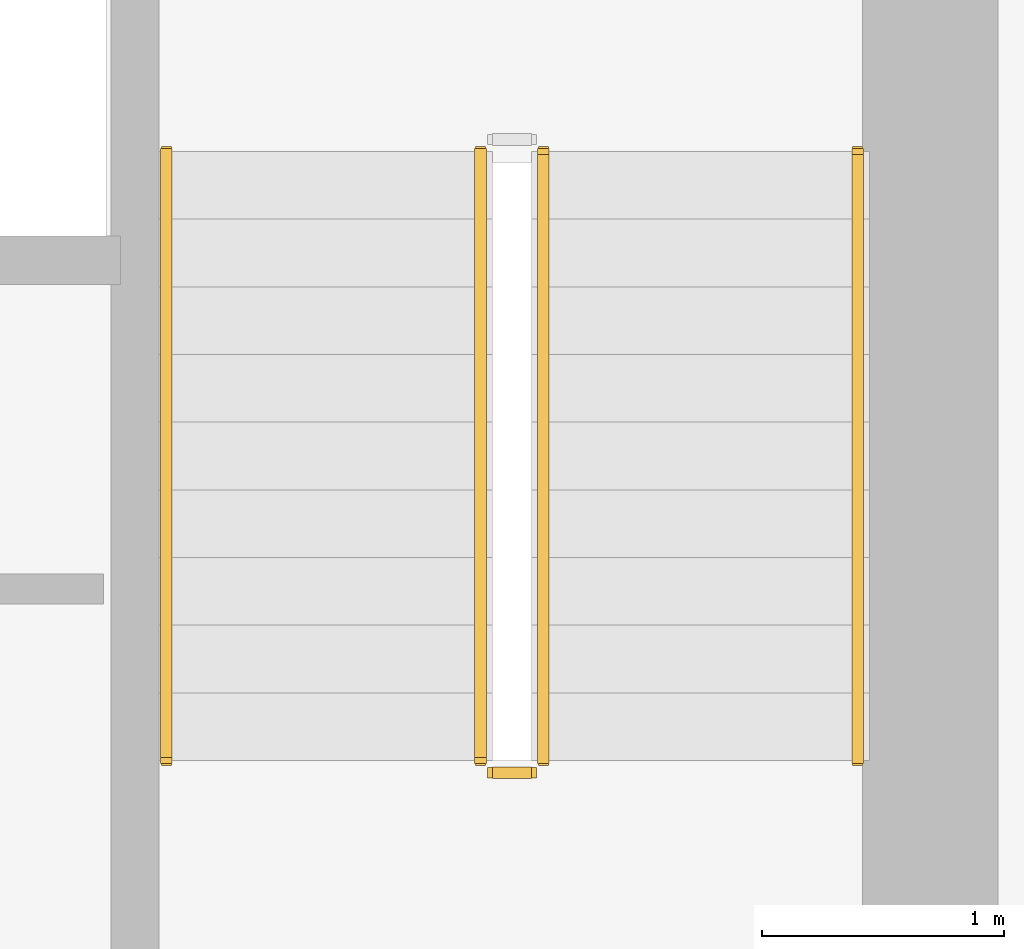
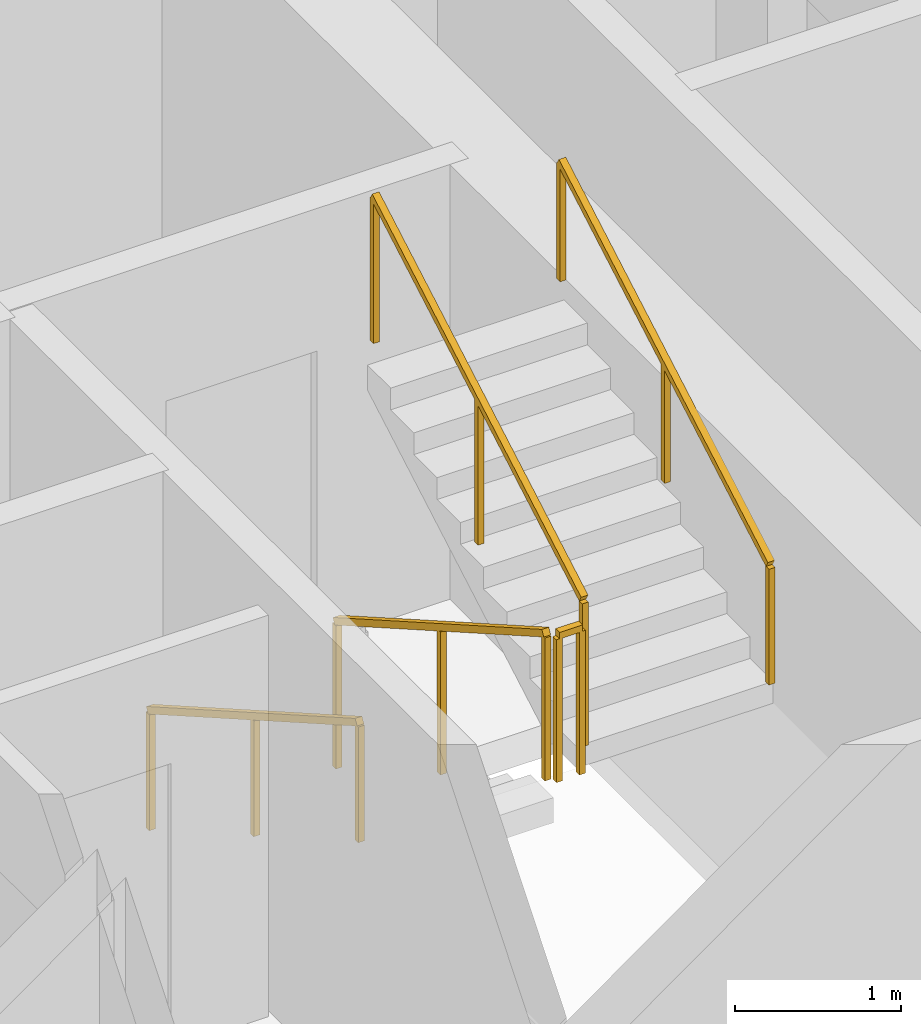
# One storey, part 9 of 11: 5 railings.
"""IFC4 building model written with IfcOpenShell, lengths in metres."""

from ifc_helpers import new_model, si_unit, direction, frame, origin, origin_2d, place, context, subcontext, project, spatial, rectangle, extrude, material, type_object, element, save


model = new_model("IFC4")

# Units and contexts
model_context = context("Model", 3, precision=1e-05, world=origin(), true_north=direction((0.0, 1.0)))
body_context = subcontext(model_context, "Body", "Model", "MODEL_VIEW")
ifc_project = project(units=[si_unit("LENGTHUNIT", "METRE"), si_unit("AREAUNIT", "SQUARE_METRE"), si_unit("VOLUMEUNIT", "CUBIC_METRE"), si_unit("PLANEANGLEUNIT", "RADIAN"), si_unit("MASSUNIT", "GRAM", prefix="KILO")], contexts=[model_context])

# Site, building, storey
site_placement = place(None, origin())
site = spatial("IfcSite", under=ifc_project, at=site_placement, CompositionType="ELEMENT")
building_placement = place(site_placement, origin())
building = spatial("IfcBuilding", under=site, at=building_placement, Name="Veldorim Arch Residences", CompositionType="ELEMENT")
storey_placement = place(building_placement, frame((0.0, 0.0, 116.9599609375)))
storey = spatial("IfcBuildingStorey", under=building, at=storey_placement, Name="L34", CompositionType="ELEMENT", Elevation=116.9599609375)

# Railings
ifc_material_1 = material(Name="Steel S355", Category="steel")
railing_type_1 = type_object("IfcRailingType", Name="Galvanised Steel Stair Safety Guardrail 1100", PredefinedType="GUARDRAIL", material=ifc_material_1)
railing_1_placement = place(storey_placement, frame((35.639892578125, 25.85009765625, 0.16015625)))
element("IfcRailing", 1, at=railing_1_placement, inside=storey, type_object=railing_type_1, Name="L34 ST-2 stair guard 1", PredefinedType="GUARDRAIL", context=body_context, shape_type="SweptSolid", body=[
    extrude(rectangle(XDim=0.048095703125, YDim=0.048095703125, at=origin_2d()), frame((0.0, 0.0, 1.076171875), z_axis=(0.0, -0.868253494771, 0.496120820787), x_axis=(1.0, 0.0, 0.0)), (0.0, 0.0, 1.0), 2.90234375),
    extrude(rectangle(XDim=0.0419921875, YDim=0.0419921875, at=origin_2d()), origin(), (0.0, 0.0, 1.0), 1.052001953125),
    extrude(rectangle(XDim=0.0419921875, YDim=0.0419921875, at=origin_2d()), frame((0.0, -1.260009765625, 0.719970703125)), (0.0, 0.0, 1.0), 1.052001953125),
    extrude(rectangle(XDim=0.0419921875, YDim=0.0419921875, at=origin_2d()), frame((0.0, -2.52001953125, 1.43994140625)), (0.0, 0.0, 1.0), 1.052001953125),
])
railing_2_placement = place(storey_placement, frame((35.68994140625, 23.280029296875, 1.60009765625)))
element("IfcRailing", 2, at=railing_2_placement, inside=storey, type_object=railing_type_1, Name="L34 ST-2 stair guard 2", PredefinedType="GUARDRAIL", context=body_context, shape_type="SweptSolid", body=[
    extrude(rectangle(XDim=0.048095703125, YDim=0.048095703125, at=origin_2d()), frame((0.0, 0.0, 1.076171875), z_axis=(1.0, 0.0, 0.0), x_axis=(0.0, 1.0, 0.0)), (0.0, 0.0, 1.0), 0.16015625),
    extrude(rectangle(XDim=0.0419921875, YDim=0.0419921875, at=origin_2d()), origin(), (0.0, 0.0, 1.0), 1.052001953125),
    extrude(rectangle(XDim=0.0419921875, YDim=0.0419921875, at=origin_2d()), frame((0.16015625, 0.0, 0.0)), (0.0, 0.0, 1.0), 1.052001953125),
])
railing_3_placement = place(storey_placement, frame((35.89990234375, 23.330078125, 1.760009765625)))
element("IfcRailing", 3, at=railing_3_placement, inside=storey, type_object=railing_type_1, Name="L34 ST-2 stair guard 3", PredefinedType="GUARDRAIL", context=body_context, shape_type="SweptSolid", body=[
    extrude(rectangle(XDim=0.048095703125, YDim=0.048095703125, at=origin_2d()), frame((0.0, 0.0, 1.076171875), z_axis=(0.0, 0.868253494771, 0.496120820787), x_axis=(-1.0, 0.0, 0.0)), (0.0, 0.0, 1.0), 2.90234375),
    extrude(rectangle(XDim=0.0419921875, YDim=0.0419921875, at=origin_2d()), origin(), (0.0, 0.0, 1.0), 1.052001953125),
    extrude(rectangle(XDim=0.0419921875, YDim=0.0419921875, at=origin_2d()), frame((0.0, 1.260009765625, 0.719970703125)), (0.0, 0.0, 1.0), 1.052001953125),
    extrude(rectangle(XDim=0.0419921875, YDim=0.0419921875, at=origin_2d()), frame((0.0, 2.52001953125, 1.43994140625)), (0.0, 0.0, 1.0), 1.052001953125),
])
ifc_material_2 = material(Name="Stainless Steel", Category="steel")
railing_type_2 = type_object("IfcRailingType", Name="Tubular Steel Continuous Wall Handrail 900", PredefinedType="HANDRAIL", material=ifc_material_2)
railing_4_placement = place(storey_placement, frame((34.340087890625, 25.85009765625, 0.16015625)))
element("IfcRailing", 4, at=railing_4_placement, inside=storey, type_object=railing_type_2, Name="L34 ST-2 stair handrail 1", PredefinedType="HANDRAIL", context=body_context, shape_type="SweptSolid", body=[
    extrude(rectangle(XDim=0.048095703125, YDim=0.048095703125, at=origin_2d()), frame((0.0, 0.0, 0.8759765625), z_axis=(0.0, -0.868253494771, 0.496120820787), x_axis=(1.0, 0.0, 0.0)), (0.0, 0.0, 1.0), 2.90234375),
    extrude(rectangle(XDim=0.0419921875, YDim=0.0419921875, at=origin_2d()), origin(), (0.0, 0.0, 1.0), 0.851806640625),
    extrude(rectangle(XDim=0.0419921875, YDim=0.0419921875, at=origin_2d()), frame((0.0, -1.260009765625, 0.719970703125)), (0.0, 0.0, 1.0), 0.851806640625),
    extrude(rectangle(XDim=0.0419921875, YDim=0.0419921875, at=origin_2d()), frame((0.0, -2.52001953125, 1.43994140625)), (0.0, 0.0, 1.0), 0.851806640625),
])
railing_5_placement = place(storey_placement, frame((37.199951171875, 23.330078125, 1.760009765625)))
element("IfcRailing", 5, at=railing_5_placement, inside=storey, type_object=railing_type_2, Name="L34 ST-2 stair handrail 2", PredefinedType="HANDRAIL", context=body_context, shape_type="SweptSolid", body=[
    extrude(rectangle(XDim=0.048095703125, YDim=0.048095703125, at=origin_2d()), frame((0.0, 0.0, 0.8759765625), z_axis=(0.0, 0.868253494771, 0.496120820787), x_axis=(-1.0, 0.0, 0.0)), (0.0, 0.0, 1.0), 2.90234375),
    extrude(rectangle(XDim=0.0419921875, YDim=0.0419921875, at=origin_2d()), origin(), (0.0, 0.0, 1.0), 0.851806640625),
    extrude(rectangle(XDim=0.0419921875, YDim=0.0419921875, at=origin_2d()), frame((0.0, 1.260009765625, 0.719970703125)), (0.0, 0.0, 1.0), 0.851806640625),
    extrude(rectangle(XDim=0.0419921875, YDim=0.0419921875, at=origin_2d()), frame((0.0, 2.52001953125, 1.43994140625)), (0.0, 0.0, 1.0), 0.851806640625),
])

save(model, "model.ifc")
